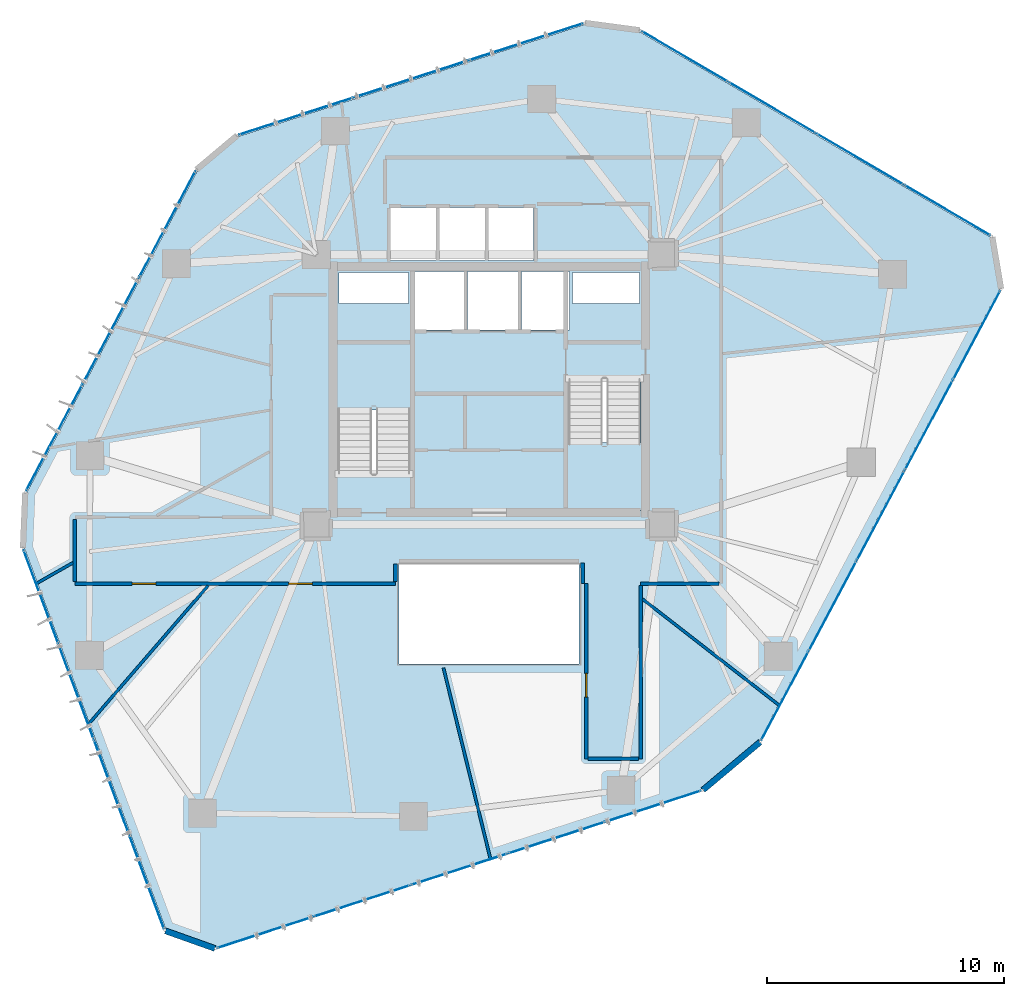
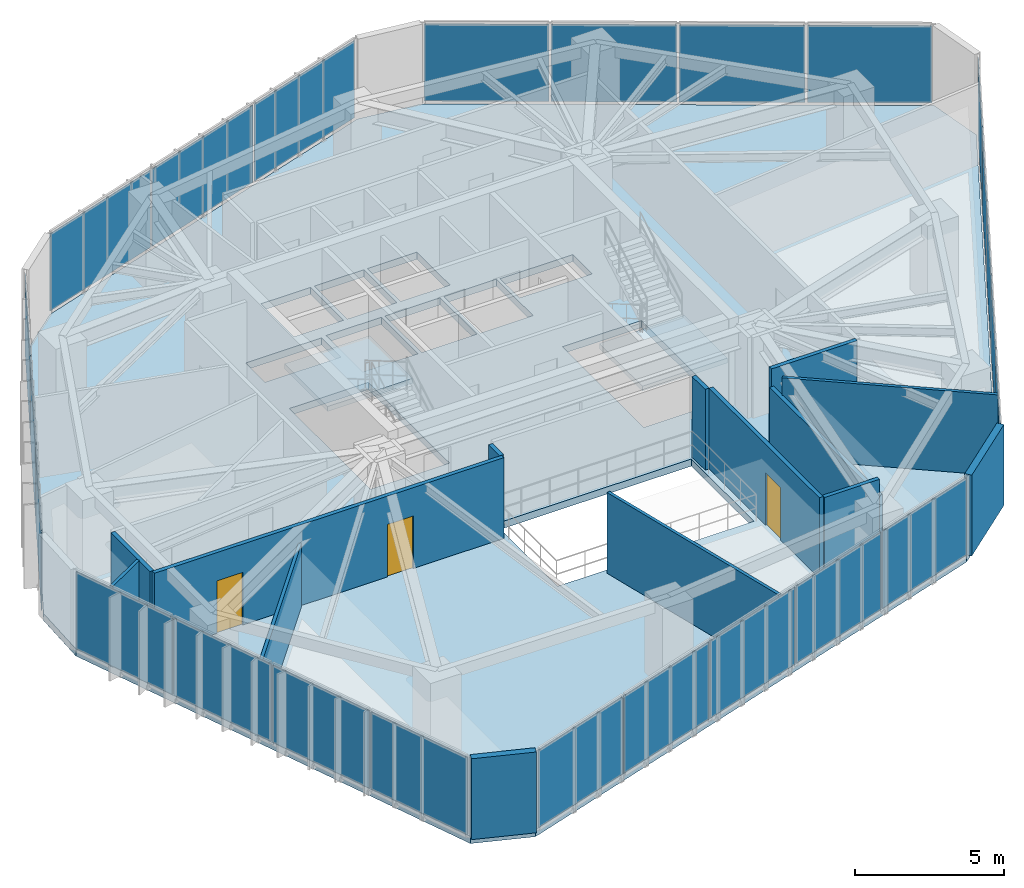
# One storey, part 15 of 21: 24 plates, 14 walls, 3 doors, 3 slabs, 3 openings, 8 elements without a shape of their own.
"""IFC4 building model written with IfcOpenShell, lengths in metres."""

from ifc_helpers import new_model, si_unit, direction, frame, frame_2d, origin, origin_2d, place, context, subcontext, project, spatial, polyline, rectangle, outline, extrude, source, transform, mapped, material, layer, layer_set, type_object, type_shapes, element, fill, aggregate, save


model = new_model("IFC4")

# Units and contexts
model_context = context("Model", 3, precision=1e-05, world=origin(), true_north=direction((0.0, 1.0)))
body_context = subcontext(model_context, "Body", "Model", "MODEL_VIEW")
ifc_project = project(units=[si_unit("LENGTHUNIT", "METRE"), si_unit("AREAUNIT", "SQUARE_METRE"), si_unit("VOLUMEUNIT", "CUBIC_METRE"), si_unit("PLANEANGLEUNIT", "RADIAN"), si_unit("MASSUNIT", "GRAM", prefix="KILO")], contexts=[model_context])

# Site, building, storey
site_placement = place(None, origin())
site = spatial("IfcSite", under=ifc_project, at=site_placement, CompositionType="ELEMENT")
building_placement = place(site_placement, origin())
building = spatial("IfcBuilding", under=site, at=building_placement, Name="Talar Marvaseh", CompositionType="ELEMENT")
storey_placement = place(building_placement, frame((0.0, 0.0, 143.39990234375)))
storey = spatial("IfcBuildingStorey", under=building, at=storey_placement, Name="L37", CompositionType="ELEMENT", Elevation=143.39990234375)

# Stair, slab
ifc_material_1 = material(Name="Concrete C40/50", Category="concrete")
stair_type = type_object("IfcStairType", Name="Reinforced Concrete Half-Turn Exit Stair Type B", PredefinedType="HALF_TURN_STAIR", material=ifc_material_1)
stair_1_placement = place(storey_placement, origin())
stair_1 = element("IfcStair", 1, at=stair_1_placement, inside=storey, type_object=stair_type, Name="L37 Tower West Core Exit Stair", PredefinedType="HALF_TURN_STAIR")
ifc_layer_1 = layer(ifc_material_1, 0.199951171875)
ifc_layer_set_1 = layer_set([ifc_layer_1], Name="Concrete C40/50")
slab_type_1 = type_object("IfcSlabType", Name="Reinforced Concrete Stair Half-Landing Slab 200", PredefinedType="LANDING", material=ifc_layer_set_1)
slab_1_placement = place(storey_placement, frame((0.0, 0.0, 1.60009765625)))
slab_1 = element("IfcSlab", 2, at=slab_1_placement, type_object=slab_type_1, Name="ST-1 landing 1", PredefinedType="LANDING", context=body_context, shape_type="SweptSolid", body=[
    extrude(outline(polyline([(22.780029296875, 30.330078125), (22.780029296875, 33.219970703125), (19.47998046875, 33.219970703125), (19.47998046875, 30.330078125), (22.780029296875, 30.330078125)])), origin(), (0.0, 0.0, 1.0), 0.199951171875),
])
aggregate(stair_1, [slab_1])

stair_2_placement = place(storey_placement, origin())
stair_2 = element("IfcStair", 3, at=stair_2_placement, inside=storey, type_object=stair_type, Name="L37 Tower East Core Exit Stair", PredefinedType="HALF_TURN_STAIR")
slab_2_placement = place(storey_placement, frame((0.0, 0.0, 1.60009765625)))
slab_2 = element("IfcSlab", 4, at=slab_2_placement, type_object=slab_type_1, Name="ST-2 landing 1", PredefinedType="LANDING", context=body_context, shape_type="SweptSolid", body=[
    extrude(outline(polyline([(29.219970703125, 28.969970703125), (29.219970703125, 26.080078125), (32.52001953125, 26.080078125), (32.52001953125, 28.969970703125), (29.219970703125, 28.969970703125)])), origin(), (0.0, 0.0, 1.0), 0.199951171875),
])
aggregate(stair_2, [slab_2])

# Slab
ifc_layer_2 = layer(ifc_material_1, 0.2900390625)
ifc_layer_set_2 = layer_set([ifc_layer_2], Name="Concrete C40/50")
slab_type_2 = type_object("IfcSlabType", Name="Structural Suspended Floor Slab 290", PredefinedType="FLOOR", material=ifc_layer_set_2)
slab_3_placement = place(storey_placement, frame((0.0, 0.0, -0.289794921875)))
element("IfcSlab", 5, at=slab_3_placement, inside=storey, type_object=slab_type_2, Name="L37 Tower Floor Slab", PredefinedType="FLOOR", context=body_context, shape_type="SweptSolid", body=[
    extrude(outline(polyline([(14.434326171875, 7.64501953125), (12.345703125, 8.3876953125), (6.368408203125, 24.506591796875), (6.46533203125, 26.84521484375), (13.674560546875, 40.442626953125), (15.394287109375, 41.8857421875), (30.036865234375, 46.6240234375), (32.35693359375, 46.3134765625), (47.193115234375, 37.6279296875), (47.561767578125, 35.442138671875), (37.409912109375, 16.3564453125), (34.992919921875, 14.328369140625), (14.434326171875, 7.64501953125)]), holes=[polyline([(22.659912109375, 27.64990234375), (22.659912109375, 33.10009765625), (19.60009765625, 33.10009765625), (19.60009765625, 27.64990234375), (22.659912109375, 27.64990234375)]), polyline([(29.340087890625, 31.64990234375), (29.340087890625, 26.199951171875), (32.39990234375, 26.199951171875), (32.39990234375, 31.64990234375), (29.340087890625, 31.64990234375)]), polyline([(22.800048828125, 33.719970703125), (24.93994140625, 33.719970703125), (24.93994140625, 36.179931640625), (22.800048828125, 36.179931640625), (22.800048828125, 33.719970703125)]), polyline([(25.080078125, 33.719970703125), (27.219970703125, 33.719970703125), (27.219970703125, 36.179931640625), (25.080078125, 36.179931640625), (25.080078125, 33.719970703125)]), polyline([(27.360107421875, 33.719970703125), (29.39990234375, 33.719970703125), (29.39990234375, 36.179931640625), (27.360107421875, 36.179931640625), (27.360107421875, 33.719970703125)]), polyline([(21.840087890625, 36.659912109375), (23.760009765625, 36.659912109375), (23.760009765625, 38.8798828125), (21.840087890625, 38.8798828125), (21.840087890625, 36.659912109375)]), polyline([(23.89990234375, 36.659912109375), (25.820068359375, 36.659912109375), (25.820068359375, 38.8798828125), (23.89990234375, 38.8798828125), (23.89990234375, 36.659912109375)]), polyline([(25.9599609375, 36.659912109375), (27.8798828125, 36.659912109375), (27.8798828125, 38.8798828125), (25.9599609375, 38.8798828125), (25.9599609375, 36.659912109375)]), polyline([(19.659912109375, 34.840087890625), (22.60009765625, 34.840087890625), (22.60009765625, 36.139892578125), (19.659912109375, 36.139892578125), (19.659912109375, 34.840087890625)]), polyline([(29.52001953125, 34.840087890625), (32.340087890625, 34.840087890625), (32.340087890625, 36.139892578125), (29.52001953125, 36.139892578125), (29.52001953125, 34.840087890625)]), polyline([(22.199951171875, 19.60009765625), (29.800048828125, 19.60009765625), (29.800048828125, 23.800048828125), (22.199951171875, 23.800048828125), (22.199951171875, 19.60009765625)])]), origin(), (0.0, 0.0, 1.0), 0.289794921875),
])

# Curtain wall, plates
ifc_material_2 = material(Name="Architectural Aluminium", Category="aluminium")
ifc_layer_3 = layer(ifc_material_2, 0.199951171875)
ifc_layer_set_3 = layer_set([ifc_layer_3], Name="Architectural Aluminium")
curtain_wall_type = type_object("IfcCurtainWallType", Name="Unitised Acoustic Library Curtain Wall Z2", PredefinedType="NOTDEFINED", material=ifc_layer_set_3)
curtain_wall_1_placement = place(storey_placement, origin())
curtain_wall_1 = element("IfcCurtainWall", 6, at=curtain_wall_1_placement, inside=storey, type_object=curtain_wall_type, Name="L37 Unitised Acoustic Library Curtain Wall Z2", PredefinedType="NOTDEFINED")
ifc_material_3 = material(Name="Laminated Low-E Solar Glass", Category="glass")
ifc_layer_4 = layer(ifc_material_3, 0.028076171875)
ifc_layer_set_4 = layer_set([ifc_layer_4], Name="Laminated Low-E Solar Glass")
plate_type = type_object("IfcPlateType", Name="Double-Glazed Low-E Vision Curtain Panel 28", PredefinedType="CURTAIN_PANEL", material=ifc_layer_set_4)
shared_shape_1 = source(origin(), body_context, "Body", "SweptSolid", [
    extrude(rectangle(XDim=4.185302734375, YDim=0.028076171875, at=origin_2d()), origin(), (0.0, 0.0, 1.0), 3.159912109375),
])
plate_1_placement = place(storey_placement, frame((11.535888671875, 10.399169921875, 0.0751953125), z_axis=(0.0, 0.0, 1.0), x_axis=(-0.347687733321, 0.93761038822, 0.0)))
plate_1 = element("IfcPlate", 7, at=plate_1_placement, type_object=plate_type, Name="CW-Z2 panel 1.1", PredefinedType="CURTAIN_PANEL", context=body_context, shape_type="MappedRepresentation", body=[
    mapped(shared_shape_1, transform((0.0, 0.0, 0.0), x_axis=(1.0, 0.0, 0.0), y_axis=(0.0, 1.0, 0.0), z_axis=(0.0, 0.0, 1.0), scale=1.0)),
])
plate_2_placement = place(storey_placement, frame((7.06591796875, 22.453125, 0.0751953125), z_axis=(0.0, 0.0, 1.0), x_axis=(-0.347687733321, 0.93761038822, 0.0)))
plate_2 = element("IfcPlate", 8, at=plate_2_placement, type_object=plate_type, Name="CW-Z2 panel 4.1", PredefinedType="CURTAIN_PANEL", context=body_context, shape_type="MappedRepresentation", body=[
    mapped(shared_shape_1, transform((0.0, 0.0, 0.0), x_axis=(1.0, 0.0, 0.0), y_axis=(0.0, 1.0, 0.0), z_axis=(0.0, 0.0, 1.0), scale=1.0)),
])

curtain_wall_2_placement = place(storey_placement, origin())
curtain_wall_2 = element("IfcCurtainWall", 9, at=curtain_wall_2_placement, inside=storey, type_object=curtain_wall_type, Name="L37 Unitised Acoustic Library Curtain Wall Z2", PredefinedType="NOTDEFINED")
plate_3_placement = place(storey_placement, frame((34.2578125, 45.27001953125, 0.0751953125), z_axis=(0.0, 0.0, 1.0), x_axis=(0.862989232148, -0.505222312647, 0.0)))
plate_3 = element("IfcPlate", 10, at=plate_3_placement, type_object=plate_type, Name="CW-Z2 panel 1.1", PredefinedType="CURTAIN_PANEL", context=body_context, shape_type="MappedRepresentation", body=[
    mapped(shared_shape_1, transform((0.0, 0.0, 0.0), x_axis=(1.0, 0.0, 0.0), y_axis=(0.0, 1.0, 0.0), z_axis=(0.0, 0.0, 1.0), scale=1.0)),
])
plate_4_placement = place(storey_placement, frame((45.352783203125, 38.77490234375, 0.0751953125), z_axis=(0.0, 0.0, 1.0), x_axis=(0.862989232148, -0.505222312647, 0.0)))
plate_4 = element("IfcPlate", 11, at=plate_4_placement, type_object=plate_type, Name="CW-Z2 panel 4.1", PredefinedType="CURTAIN_PANEL", context=body_context, shape_type="MappedRepresentation", body=[
    mapped(shared_shape_1, transform((0.0, 0.0, 0.0), x_axis=(1.0, 0.0, 0.0), y_axis=(0.0, 1.0, 0.0), z_axis=(0.0, 0.0, 1.0), scale=1.0)),
])

# Plate
shared_shape_2 = source(origin(), body_context, "Body", "SweptSolid", [
    extrude(rectangle(XDim=4.222900390625, YDim=0.028076171875, at=origin_2d()), origin(), (0.0, 0.0, 1.0), 3.159912109375),
])
plate_5_placement = place(storey_placement, frame((10.048095703125, 14.411376953125, 0.0751953125), z_axis=(0.0, 0.0, 1.0), x_axis=(-0.347687733321, 0.93761038822, 0.0)))
plate_5 = element("IfcPlate", 12, at=plate_5_placement, type_object=plate_type, Name="CW-Z2 panel 2.1", PredefinedType="CURTAIN_PANEL", context=body_context, shape_type="MappedRepresentation", body=[
    mapped(shared_shape_2, transform((0.0, 0.0, 0.0), x_axis=(1.0, 0.0, 0.0), y_axis=(0.0, 1.0, 0.0), z_axis=(0.0, 0.0, 1.0), scale=1.0)),
])

plate_6_placement = place(storey_placement, frame((8.5537109375, 18.441162109375, 0.0751953125), z_axis=(0.0, 0.0, 1.0), x_axis=(-0.347687733321, 0.93761038822, 0.0)))
plate_6 = element("IfcPlate", 13, at=plate_6_placement, type_object=plate_type, Name="CW-Z2 panel 3.1", PredefinedType="CURTAIN_PANEL", context=body_context, shape_type="MappedRepresentation", body=[
    mapped(shared_shape_2, transform((0.0, 0.0, 0.0), x_axis=(1.0, 0.0, 0.0), y_axis=(0.0, 1.0, 0.0), z_axis=(0.0, 0.0, 1.0), scale=1.0)),
])

aggregate(curtain_wall_1, [plate_1, plate_5, plate_6, plate_2])

plate_7_placement = place(storey_placement, frame((37.95068359375, 43.108154296875, 0.0751953125), z_axis=(0.0, 0.0, 1.0), x_axis=(0.862989232148, -0.505222312647, 0.0)))
plate_7 = element("IfcPlate", 14, at=plate_7_placement, type_object=plate_type, Name="CW-Z2 panel 2.1", PredefinedType="CURTAIN_PANEL", context=body_context, shape_type="MappedRepresentation", body=[
    mapped(shared_shape_2, transform((0.0, 0.0, 0.0), x_axis=(1.0, 0.0, 0.0), y_axis=(0.0, 1.0, 0.0), z_axis=(0.0, 0.0, 1.0), scale=1.0)),
])

plate_8_placement = place(storey_placement, frame((41.659912109375, 40.936767578125, 0.0751953125), z_axis=(0.0, 0.0, 1.0), x_axis=(0.862989232148, -0.505222312647, 0.0)))
plate_8 = element("IfcPlate", 15, at=plate_8_placement, type_object=plate_type, Name="CW-Z2 panel 3.1", PredefinedType="CURTAIN_PANEL", context=body_context, shape_type="MappedRepresentation", body=[
    mapped(shared_shape_2, transform((0.0, 0.0, 0.0), x_axis=(1.0, 0.0, 0.0), y_axis=(0.0, 1.0, 0.0), z_axis=(0.0, 0.0, 1.0), scale=1.0)),
])

aggregate(curtain_wall_2, [plate_3, plate_7, plate_8, plate_4])

# Curtain wall, plates
curtain_wall_3_placement = place(storey_placement, origin())
curtain_wall_3 = element("IfcCurtainWall", 16, at=curtain_wall_3_placement, inside=storey, type_object=curtain_wall_type, Name="L37 Unitised Acoustic Library Curtain Wall Z2", PredefinedType="NOTDEFINED")
shared_shape_3 = source(origin(), body_context, "Body", "SweptSolid", [
    extrude(rectangle(XDim=5.017578125, YDim=0.028076171875, at=origin_2d()), origin(), (0.0, 0.0, 1.0), 3.159912109375),
])
plate_9_placement = place(storey_placement, frame((7.622802734375, 29.15625, 0.0751953125), z_axis=(0.0, 0.0, 1.0), x_axis=(0.468422022616, 0.883504843636, 0.0)))
plate_9 = element("IfcPlate", 17, at=plate_9_placement, type_object=plate_type, Name="CW-Z2 panel 1.1", PredefinedType="CURTAIN_PANEL", context=body_context, shape_type="MappedRepresentation", body=[
    mapped(shared_shape_3, transform((0.0, 0.0, 0.0), x_axis=(1.0, 0.0, 0.0), y_axis=(0.0, 1.0, 0.0), z_axis=(0.0, 0.0, 1.0), scale=1.0)),
])
plate_10_placement = place(storey_placement, frame((12.4111328125, 38.18798828125, 0.0751953125), z_axis=(0.0, 0.0, 1.0), x_axis=(0.468422022616, 0.883504843636, 0.0)))
plate_10 = element("IfcPlate", 18, at=plate_10_placement, type_object=plate_type, Name="CW-Z2 panel 3.1", PredefinedType="CURTAIN_PANEL", context=body_context, shape_type="MappedRepresentation", body=[
    mapped(shared_shape_3, transform((0.0, 0.0, 0.0), x_axis=(1.0, 0.0, 0.0), y_axis=(0.0, 1.0, 0.0), z_axis=(0.0, 0.0, 1.0), scale=1.0)),
])

curtain_wall_4_placement = place(storey_placement, origin())
curtain_wall_4 = element("IfcCurtainWall", 19, at=curtain_wall_4_placement, inside=storey, type_object=curtain_wall_type, Name="L37 Unitised Acoustic Library Curtain Wall Z2", PredefinedType="NOTDEFINED")
plate_11_placement = place(storey_placement, frame((17.834228515625, 42.73828125, 0.0751953125), z_axis=(0.0, 0.0, 1.0), x_axis=(0.951423191458, 0.307886197736, 0.0)))
plate_11 = element("IfcPlate", 20, at=plate_11_placement, type_object=plate_type, Name="CW-Z2 panel 1.1", PredefinedType="CURTAIN_PANEL", context=body_context, shape_type="MappedRepresentation", body=[
    mapped(shared_shape_3, transform((0.0, 0.0, 0.0), x_axis=(1.0, 0.0, 0.0), y_axis=(0.0, 1.0, 0.0), z_axis=(0.0, 0.0, 1.0), scale=1.0)),
])
plate_12_placement = place(storey_placement, frame((27.56005859375, 45.8857421875, 0.0751953125), z_axis=(0.0, 0.0, 1.0), x_axis=(0.951423191458, 0.307886197736, 0.0)))
plate_12 = element("IfcPlate", 21, at=plate_12_placement, type_object=plate_type, Name="CW-Z2 panel 3.1", PredefinedType="CURTAIN_PANEL", context=body_context, shape_type="MappedRepresentation", body=[
    mapped(shared_shape_3, transform((0.0, 0.0, 0.0), x_axis=(1.0, 0.0, 0.0), y_axis=(0.0, 1.0, 0.0), z_axis=(0.0, 0.0, 1.0), scale=1.0)),
])
shared_shape_4 = source(origin(), body_context, "Body", "SweptSolid", [
    extrude(rectangle(XDim=5.054931640625, YDim=0.028076171875, at=origin_2d()), origin(), (0.0, 0.0, 1.0), 3.159912109375),
])
plate_13_placement = place(storey_placement, frame((22.697265625, 44.31201171875, 0.0751953125), z_axis=(0.0, 0.0, 1.0), x_axis=(0.951423191458, 0.307886197736, 0.0)))
plate_13 = element("IfcPlate", 22, at=plate_13_placement, type_object=plate_type, Name="CW-Z2 panel 2.1", PredefinedType="CURTAIN_PANEL", context=body_context, shape_type="MappedRepresentation", body=[
    mapped(shared_shape_4, transform((0.0, 0.0, 0.0), x_axis=(1.0, 0.0, 0.0), y_axis=(0.0, 1.0, 0.0), z_axis=(0.0, 0.0, 1.0), scale=1.0)),
])
aggregate(curtain_wall_4, [plate_11, plate_13, plate_12])

# Plate
shared_shape_5 = source(origin(), body_context, "Body", "SweptSolid", [
    extrude(rectangle(XDim=5.05517578125, YDim=0.028076171875, at=origin_2d()), origin(), (0.0, 0.0, 1.0), 3.159912109375),
])
plate_14_placement = place(storey_placement, frame((10.016845703125, 33.672119140625, 0.0751953125), z_axis=(0.0, 0.0, 1.0), x_axis=(0.468422022616, 0.883504843636, 0.0)))
plate_14 = element("IfcPlate", 23, at=plate_14_placement, type_object=plate_type, Name="CW-Z2 panel 2.1", PredefinedType="CURTAIN_PANEL", context=body_context, shape_type="MappedRepresentation", body=[
    mapped(shared_shape_5, transform((0.0, 0.0, 0.0), x_axis=(1.0, 0.0, 0.0), y_axis=(0.0, 1.0, 0.0), z_axis=(0.0, 0.0, 1.0), scale=1.0)),
])

aggregate(curtain_wall_3, [plate_9, plate_14, plate_10])

# Curtain wall, plates
curtain_wall_5_placement = place(storey_placement, origin())
curtain_wall_5 = element("IfcCurtainWall", 24, at=curtain_wall_5_placement, inside=storey, type_object=curtain_wall_type, Name="L37 Unitised Acoustic Library Curtain Wall Z2", PredefinedType="NOTDEFINED")
shared_shape_6 = source(origin(), body_context, "Body", "SweptSolid", [
    extrude(rectangle(XDim=4.2109375, YDim=0.028076171875, at=origin_2d()), origin(), (0.0, 0.0, 1.0), 3.159912109375),
])
plate_15_placement = place(storey_placement, frame((46.5908203125, 33.48876953125, 0.0751953125), z_axis=(0.0, 0.0, 1.0), x_axis=(-0.469610518056, -0.882873695005, 0.0)))
plate_15 = element("IfcPlate", 25, at=plate_15_placement, type_object=plate_type, Name="CW-Z2 panel 1.1", PredefinedType="CURTAIN_PANEL", context=body_context, shape_type="MappedRepresentation", body=[
    mapped(shared_shape_6, transform((0.0, 0.0, 0.0), x_axis=(1.0, 0.0, 0.0), y_axis=(0.0, 1.0, 0.0), z_axis=(0.0, 0.0, 1.0), scale=1.0)),
])
plate_16_placement = place(storey_placement, frame((38.48681640625, 18.25341796875, 0.0751953125), z_axis=(0.0, 0.0, 1.0), x_axis=(-0.469610518056, -0.882873695005, 0.0)))
plate_16 = element("IfcPlate", 26, at=plate_16_placement, type_object=plate_type, Name="CW-Z2 panel 5.1", PredefinedType="CURTAIN_PANEL", context=body_context, shape_type="MappedRepresentation", body=[
    mapped(shared_shape_6, transform((0.0, 0.0, 0.0), x_axis=(1.0, 0.0, 0.0), y_axis=(0.0, 1.0, 0.0), z_axis=(0.0, 0.0, 1.0), scale=1.0)),
])

curtain_wall_6_placement = place(storey_placement, origin())
curtain_wall_6 = element("IfcCurtainWall", 27, at=curtain_wall_6_placement, inside=storey, type_object=curtain_wall_type, Name="L37 Unitised Acoustic Library Curtain Wall Z2", PredefinedType="NOTDEFINED")
plate_17_placement = place(storey_placement, frame((32.937744140625, 13.59716796875, 0.0751953125), z_axis=(0.0, 0.0, 1.0), x_axis=(-0.95100884177, -0.309163682983, 0.0)))
plate_17 = element("IfcPlate", 28, at=plate_17_placement, type_object=plate_type, Name="CW-Z2 panel 1.1", PredefinedType="CURTAIN_PANEL", context=body_context, shape_type="MappedRepresentation", body=[
    mapped(shared_shape_6, transform((0.0, 0.0, 0.0), x_axis=(1.0, 0.0, 0.0), y_axis=(0.0, 1.0, 0.0), z_axis=(0.0, 0.0, 1.0), scale=1.0)),
])
plate_18_placement = place(storey_placement, frame((16.526611328125, 8.261962890625, 0.0751953125), z_axis=(0.0, 0.0, 1.0), x_axis=(-0.95100884177, -0.309163682983, 0.0)))
plate_18 = element("IfcPlate", 29, at=plate_18_placement, type_object=plate_type, Name="CW-Z2 panel 5.1", PredefinedType="CURTAIN_PANEL", context=body_context, shape_type="MappedRepresentation", body=[
    mapped(shared_shape_6, transform((0.0, 0.0, 0.0), x_axis=(1.0, 0.0, 0.0), y_axis=(0.0, 1.0, 0.0), z_axis=(0.0, 0.0, 1.0), scale=1.0)),
])

# Plate
shared_shape_7 = source(origin(), body_context, "Body", "SweptSolid", [
    extrude(rectangle(XDim=4.24853515625, YDim=0.028076171875, at=origin_2d()), origin(), (0.0, 0.0, 1.0), 3.159912109375),
])
type_shapes(plate_type, [shared_shape_1, shared_shape_2, shared_shape_3, shared_shape_4, shared_shape_5, shared_shape_6, shared_shape_7])
plate_19_placement = place(storey_placement, frame((44.5693359375, 29.688232421875, 0.0751953125), z_axis=(0.0, 0.0, 1.0), x_axis=(-0.469610518056, -0.882873695005, 0.0)))
plate_19 = element("IfcPlate", 30, at=plate_19_placement, type_object=plate_type, Name="CW-Z2 panel 2.1", PredefinedType="CURTAIN_PANEL", context=body_context, shape_type="MappedRepresentation", body=[
    mapped(shared_shape_7, transform((0.0, 0.0, 0.0), x_axis=(1.0, 0.0, 0.0), y_axis=(0.0, 1.0, 0.0), z_axis=(0.0, 0.0, 1.0), scale=1.0)),
])

plate_20_placement = place(storey_placement, frame((42.538818359375, 25.87109375, 0.0751953125), z_axis=(0.0, 0.0, 1.0), x_axis=(-0.469610518056, -0.882873695005, 0.0)))
plate_20 = element("IfcPlate", 31, at=plate_20_placement, type_object=plate_type, Name="CW-Z2 panel 3.1", PredefinedType="CURTAIN_PANEL", context=body_context, shape_type="MappedRepresentation", body=[
    mapped(shared_shape_7, transform((0.0, 0.0, 0.0), x_axis=(1.0, 0.0, 0.0), y_axis=(0.0, 1.0, 0.0), z_axis=(0.0, 0.0, 1.0), scale=1.0)),
])

plate_21_placement = place(storey_placement, frame((40.508544921875, 22.053955078125, 0.0751953125), z_axis=(0.0, 0.0, 1.0), x_axis=(-0.469610518056, -0.882873695005, 0.0)))
plate_21 = element("IfcPlate", 32, at=plate_21_placement, type_object=plate_type, Name="CW-Z2 panel 4.1", PredefinedType="CURTAIN_PANEL", context=body_context, shape_type="MappedRepresentation", body=[
    mapped(shared_shape_7, transform((0.0, 0.0, 0.0), x_axis=(1.0, 0.0, 0.0), y_axis=(0.0, 1.0, 0.0), z_axis=(0.0, 0.0, 1.0), scale=1.0)),
])

aggregate(curtain_wall_5, [plate_15, plate_19, plate_20, plate_21, plate_16])

plate_22_placement = place(storey_placement, frame((28.84375, 12.266357421875, 0.0751953125), z_axis=(0.0, 0.0, 1.0), x_axis=(-0.95100884177, -0.309163682983, 0.0)))
plate_22 = element("IfcPlate", 33, at=plate_22_placement, type_object=plate_type, Name="CW-Z2 panel 2.1", PredefinedType="CURTAIN_PANEL", context=body_context, shape_type="MappedRepresentation", body=[
    mapped(shared_shape_7, transform((0.0, 0.0, 0.0), x_axis=(1.0, 0.0, 0.0), y_axis=(0.0, 1.0, 0.0), z_axis=(0.0, 0.0, 1.0), scale=1.0)),
])

plate_23_placement = place(storey_placement, frame((24.732177734375, 10.9296875, 0.0751953125), z_axis=(0.0, 0.0, 1.0), x_axis=(-0.95100884177, -0.309163682983, 0.0)))
plate_23 = element("IfcPlate", 34, at=plate_23_placement, type_object=plate_type, Name="CW-Z2 panel 3.1", PredefinedType="CURTAIN_PANEL", context=body_context, shape_type="MappedRepresentation", body=[
    mapped(shared_shape_7, transform((0.0, 0.0, 0.0), x_axis=(1.0, 0.0, 0.0), y_axis=(0.0, 1.0, 0.0), z_axis=(0.0, 0.0, 1.0), scale=1.0)),
])

plate_24_placement = place(storey_placement, frame((20.620361328125, 9.593017578125, 0.0751953125), z_axis=(0.0, 0.0, 1.0), x_axis=(-0.95100884177, -0.309163682983, 0.0)))
plate_24 = element("IfcPlate", 35, at=plate_24_placement, type_object=plate_type, Name="CW-Z2 panel 4.1", PredefinedType="CURTAIN_PANEL", context=body_context, shape_type="MappedRepresentation", body=[
    mapped(shared_shape_7, transform((0.0, 0.0, 0.0), x_axis=(1.0, 0.0, 0.0), y_axis=(0.0, 1.0, 0.0), z_axis=(0.0, 0.0, 1.0), scale=1.0)),
])

aggregate(curtain_wall_6, [plate_17, plate_22, plate_23, plate_24, plate_18])

# Walls
ifc_material_4 = material(Name="Precast concrete C45/55", Category="concrete")
ifc_layer_5 = layer(ifc_material_4, 0.2548828125)
ifc_layer_set_5 = layer_set([ifc_layer_5], Name="Precast concrete C45/55")
wall_type_1 = type_object("IfcWallType", Name="Chamfered Hexagonal Corner Pier Wall Z2 255", PredefinedType="SOLIDWALL", material=ifc_layer_set_5)
wall_1_placement = place(storey_placement, frame((14.414306640625, 7.58837890625, 0.0), z_axis=(0.0, 0.0, 1.0), x_axis=(-0.942206964628, 0.335031395254, 0.0)))
element("IfcWall", 36, at=wall_1_placement, inside=storey, type_object=wall_type_1, Name="L37 Chamfered Corner Limestone Pier 1", PredefinedType="SOLIDWALL", context=body_context, shape_type="SweptSolid", body=[
    extrude(rectangle(XDim=2.216796875, YDim=0.2548828125, at=frame_2d((1.1083984375, 0.0))), origin(), (0.0, 0.0, 1.0), 3.31005859375),
])
wall_2_placement = place(storey_placement, frame((37.448486328125, 16.310546875, 0.0), z_axis=(0.0, 0.0, 1.0), x_axis=(-0.766047733122, -0.642783688793, 0.0)))
element("IfcWall", 37, at=wall_2_placement, inside=storey, type_object=wall_type_1, Name="L37 Chamfered Corner Limestone Pier 6", PredefinedType="SOLIDWALL", context=body_context, shape_type="SweptSolid", body=[
    extrude(rectangle(XDim=3.155029296875, YDim=0.2548828125, at=frame_2d((1.57763671875, 0.0))), origin(), (0.0, 0.0, 1.0), 3.31005859375),
])

# Wall, openings, doors
ifc_material_5 = material(Name="Gypsum Board Partition Assembly")
ifc_layer_6 = layer(ifc_material_5, 0.155029296875)
ifc_layer_set_6 = layer_set([ifc_layer_6], Name="Gypsum Board Partition Assembly")
wall_type_2 = type_object("IfcWallType", Name="Corridor Fire-Rated Acoustic Partition 155", PredefinedType="PARTITIONING", material=ifc_layer_set_6)
wall_3_placement = place(storey_placement, frame((22.0400390625, 23.0, 0.0), z_axis=(0.0, 0.0, 1.0), x_axis=(-1.0, 0.0, 0.0)))
wall_3 = element("IfcWall", 38, at=wall_3_placement, inside=storey, type_object=wall_type_2, Name="L37 Interior Partition Wall", PredefinedType="PARTITIONING", context=body_context, shape_type="SweptSolid", body=[
    extrude(rectangle(XDim=13.5400390625, YDim=0.155029296875, at=frame_2d((6.77001953125, 0.0))), origin(), (0.0, 0.0, 1.0), 3.31005859375),
])
opening_1_placement = place(wall_3_placement, frame((10.119384765625, 0.0, 0.0)))
opening_1 = element("IfcOpeningElement", 39, at=opening_1_placement, cuts=wall_3, Name="Opening DR-RM100", PredefinedType="OPENING", context=body_context, shape_type="SweptSolid", body=[
    extrude(rectangle(XDim=1.0, YDim=2.14990234375, at=frame_2d((0.5, 1.074951171875))), frame((0.0, 0.08740234375, 0.0), z_axis=(0.0, -1.0, 0.0), x_axis=(1.0, 0.0, 0.0)), (0.0, 0.0, 1.0), 0.175048828125),
])
opening_2_placement = place(wall_3_placement, frame((3.511962890625, 0.0, 0.0)))
opening_2 = element("IfcOpeningElement", 40, at=opening_2_placement, cuts=wall_3, Name="Opening DR-RM100", PredefinedType="OPENING", context=body_context, shape_type="SweptSolid", body=[
    extrude(rectangle(XDim=1.0, YDim=2.14990234375, at=frame_2d((0.5, 1.074951171875))), frame((0.0, 0.08740234375, 0.0), z_axis=(0.0, -1.0, 0.0), x_axis=(1.0, 0.0, 0.0)), (0.0, 0.0, 1.0), 0.175048828125),
])
ifc_material_6 = material(Name="Acoustic Engineered Oak Timber", Category="wood")
door_type = type_object("IfcDoorType", Name="Corridor Fire-Rated Gallery Door 1000x2150", OperationType="NOTDEFINED", PredefinedType="DOOR", material=ifc_material_6)
shared_shape_8 = source(origin(), body_context, "Body", "SweptSolid", [
    extrude(rectangle(XDim=1.0, YDim=2.14990234375, at=frame_2d((0.5, 1.074951171875))), frame((0.0, 0.02490234375, 0.0), z_axis=(0.0, -1.0, 0.0), x_axis=(1.0, 0.0, 0.0)), (0.0, 0.0, 1.0), 0.050048828125),
])
type_shapes(door_type, [shared_shape_8])
door_1_placement = place(opening_1_placement, origin())
door_1 = element("IfcDoor", 41, at=door_1_placement, inside=storey, type_object=door_type, Name="L37 Curatorial Staff Control Room Door", OperationType="SINGLE_SWING_RIGHT", OverallHeight=2.14990234375, OverallWidth=1.0, PredefinedType="DOOR", context=body_context, shape_type="MappedRepresentation", body=[
    mapped(shared_shape_8, transform((0.0, 0.0, 0.0), x_axis=(1.0, 0.0, 0.0), y_axis=(0.0, 1.0, 0.0), z_axis=(0.0, 0.0, 1.0), scale=1.0)),
])
fill(opening_1, door_1)
door_2_placement = place(opening_2_placement, origin())
door_2 = element("IfcDoor", 42, at=door_2_placement, inside=storey, type_object=door_type, Name="L37 Archival Research Office Door", OperationType="SINGLE_SWING_LEFT", OverallHeight=2.14990234375, OverallWidth=1.0, PredefinedType="DOOR", context=body_context, shape_type="MappedRepresentation", body=[
    mapped(shared_shape_8, transform((0.0, 0.0, 0.0), x_axis=(1.0, 0.0, 0.0), y_axis=(0.0, 1.0, 0.0), z_axis=(0.0, 0.0, 1.0), scale=1.0)),
])
fill(opening_2, door_2)

# Wall, opening, door
wall_4_placement = place(storey_placement, frame((30.10009765625, 15.60009765625, 0.0), z_axis=(0.0, 0.0, 1.0), x_axis=(0.0, 1.0, 0.0)))
wall_4 = element("IfcWall", 43, at=wall_4_placement, inside=storey, type_object=wall_type_2, Name="L37 Interior Partition Wall", PredefinedType="PARTITIONING", context=body_context, shape_type="SweptSolid", body=[
    extrude(rectangle(XDim=7.39990234375, YDim=0.155029296875, at=frame_2d((3.699951171875, 0.0))), origin(), (0.0, 0.0, 1.0), 3.31005859375),
])
opening_3_placement = place(wall_4_placement, frame((2.60791015625, 0.0, 0.0)))
opening_3 = element("IfcOpeningElement", 44, at=opening_3_placement, cuts=wall_4, Name="Opening DR-RM100", PredefinedType="OPENING", context=body_context, shape_type="SweptSolid", body=[
    extrude(rectangle(XDim=1.0, YDim=2.14990234375, at=frame_2d((0.5, 1.074951171875))), frame((0.0, 0.08740234375, 0.0), z_axis=(0.0, -1.0, 0.0), x_axis=(1.0, 0.0, 0.0)), (0.0, 0.0, 1.0), 0.175048828125),
])
door_3_placement = place(opening_3_placement, origin())
door_3 = element("IfcDoor", 45, at=door_3_placement, inside=storey, type_object=door_type, Name="L37 Registrar Mail and Post Room Door", OperationType="SINGLE_SWING_RIGHT", OverallHeight=2.14990234375, OverallWidth=1.0, PredefinedType="DOOR", context=body_context, shape_type="MappedRepresentation", body=[
    mapped(shared_shape_8, transform((0.0, 0.0, 0.0), x_axis=(1.0, 0.0, 0.0), y_axis=(0.0, 1.0, 0.0), z_axis=(0.0, 0.0, 1.0), scale=1.0)),
])
fill(opening_3, door_3)

# Walls
wall_5_placement = place(storey_placement, frame((22.043212890625, 23.831298828125, 0.0), z_axis=(0.0, 0.0, 1.0), x_axis=(-0.003917697652, -0.999992325793, 0.0)))
element("IfcWall", 46, at=wall_5_placement, inside=storey, type_object=wall_type_2, Name="L37 Interior Partition Wall", PredefinedType="PARTITIONING", context=body_context, shape_type="SweptSolid", body=[
    extrude(rectangle(XDim=0.747802734375, YDim=0.155029296875, at=frame_2d((0.3740234375, 0.0))), origin(), (0.0, 0.0, 1.0), 3.31005859375),
])
wall_6_placement = place(storey_placement, frame((8.5, 23.08349609375, 0.0), z_axis=(0.0, 0.0, 1.0), x_axis=(0.0, 1.0, 0.0)))
element("IfcWall", 47, at=wall_6_placement, inside=storey, type_object=wall_type_2, Name="L37 Interior Partition Wall", PredefinedType="PARTITIONING", context=body_context, shape_type="SweptSolid", body=[
    extrude(rectangle(XDim=2.633056640625, YDim=0.155029296875, at=frame_2d((1.31640625, 0.0))), origin(), (0.0, 0.0, 1.0), 3.31005859375),
])
wall_7_placement = place(storey_placement, frame((35.716552734375, 23.0, 0.0), z_axis=(0.0, 0.0, 1.0), x_axis=(-1.0, 0.0, 0.0)))
element("IfcWall", 48, at=wall_7_placement, inside=storey, type_object=wall_type_2, Name="L37 Interior Partition Wall", PredefinedType="PARTITIONING", context=body_context, shape_type="SweptSolid", body=[
    extrude(rectangle(XDim=3.316650390625, YDim=0.155029296875, at=frame_2d((1.658203125, 0.0))), origin(), (0.0, 0.0, 1.0), 3.31005859375),
])
wall_8_placement = place(storey_placement, frame((32.39990234375, 22.91650390625, 0.0), z_axis=(0.0, 0.0, 1.0), x_axis=(0.0, -1.0, 0.0)))
element("IfcWall", 49, at=wall_8_placement, inside=storey, type_object=wall_type_2, Name="L37 Interior Partition Wall", PredefinedType="PARTITIONING", context=body_context, shape_type="SweptSolid", body=[
    extrude(rectangle(XDim=7.31640625, YDim=0.155029296875, at=frame_2d((3.658203125, 0.0))), origin(), (0.0, 0.0, 1.0), 2.590087890625),
])
wall_9_placement = place(storey_placement, frame((32.31640625, 15.60009765625, 0.0), z_axis=(0.0, 0.0, 1.0), x_axis=(-1.0, 0.0, 0.0)))
element("IfcWall", 50, at=wall_9_placement, inside=storey, type_object=wall_type_2, Name="L37 Interior Partition Wall", PredefinedType="PARTITIONING", context=body_context, shape_type="SweptSolid", body=[
    extrude(rectangle(XDim=2.1328125, YDim=0.155029296875, at=frame_2d((1.06640625, 0.0))), origin(), (0.0, 0.0, 1.0), 3.31005859375),
])
wall_10_placement = place(storey_placement, frame((29.9599609375, 23.0, 0.0), z_axis=(0.0, 0.0, 1.0), x_axis=(-0.021467444279, 0.999769547864, 0.0)))
element("IfcWall", 51, at=wall_10_placement, inside=storey, type_object=wall_type_2, Name="L37 Interior Partition Wall", PredefinedType="PARTITIONING", context=body_context, shape_type="SweptSolid", body=[
    extrude(rectangle(XDim=0.875732421875, YDim=0.155029296875, at=frame_2d((0.43798828125, 0.0))), origin(), (0.0, 0.0, 1.0), 3.31005859375),
])
ifc_layer_7 = layer(ifc_material_5, 0.1201171875)
ifc_layer_set_7 = layer_set([ifc_layer_7], Name="Gypsum Board Partition Assembly")
wall_type_3 = type_object("IfcWallType", Name="Demountable Studio Room Partition 120", PredefinedType="PARTITIONING", material=ifc_layer_set_7)
wall_11_placement = place(storey_placement, frame((8.41650390625, 23.882568359375, 0.0), z_axis=(0.0, 0.0, 1.0), x_axis=(-0.869349661899, -0.494197496307, 0.0)))
element("IfcWall", 52, at=wall_11_placement, inside=storey, type_object=wall_type_3, Name="L37 Interior Partition Wall", PredefinedType="PARTITIONING", context=body_context, shape_type="SweptSolid", body=[
    extrude(rectangle(XDim=1.76171875, YDim=0.1201171875, at=frame_2d((0.880859375, 0.0))), origin(), (0.0, 0.0, 1.0), 3.31005859375),
])
wall_12_placement = place(storey_placement, frame((14.1279296875, 22.91650390625, 0.0), z_axis=(0.0, 0.0, 1.0), x_axis=(-0.653381856853, -0.757028499553, 0.0)))
element("IfcWall", 53, at=wall_12_placement, inside=storey, type_object=wall_type_3, Name="L37 Interior Partition Wall", PredefinedType="PARTITIONING", context=body_context, shape_type="SweptSolid", body=[
    extrude(rectangle(XDim=7.718994140625, YDim=0.1201171875, at=frame_2d((3.859375, 0.0))), origin(), (0.0, 0.0, 1.0), 2.590087890625),
])
wall_13_placement = place(storey_placement, frame((24.070068359375, 19.43994140625, 0.0), z_axis=(0.0, 0.0, 1.0), x_axis=(0.238773562364, -0.971075273043, 0.0)))
element("IfcWall", 54, at=wall_13_placement, inside=storey, type_object=wall_type_3, Name="L37 Interior Partition Wall", PredefinedType="PARTITIONING", context=body_context, shape_type="SweptSolid", body=[
    extrude(rectangle(XDim=8.29541015625, YDim=0.1201171875, at=frame_2d((4.147705078125, 0.0))), origin(), (0.0, 0.0, 1.0), 3.31005859375),
])
wall_14_placement = place(storey_placement, frame((32.4833984375, 22.34521484375, 0.0), z_axis=(0.0, 0.0, 1.0), x_axis=(0.789431392266, -0.613838803681, 0.0)))
element("IfcWall", 55, at=wall_14_placement, inside=storey, type_object=wall_type_3, Name="L37 Interior Partition Wall", PredefinedType="PARTITIONING", context=body_context, shape_type="SweptSolid", body=[
    extrude(rectangle(XDim=7.30517578125, YDim=0.1201171875, at=frame_2d((3.652587890625, 0.0))), origin(), (0.0, 0.0, 1.0), 3.31005859375),
])

save(model, "model.ifc")
